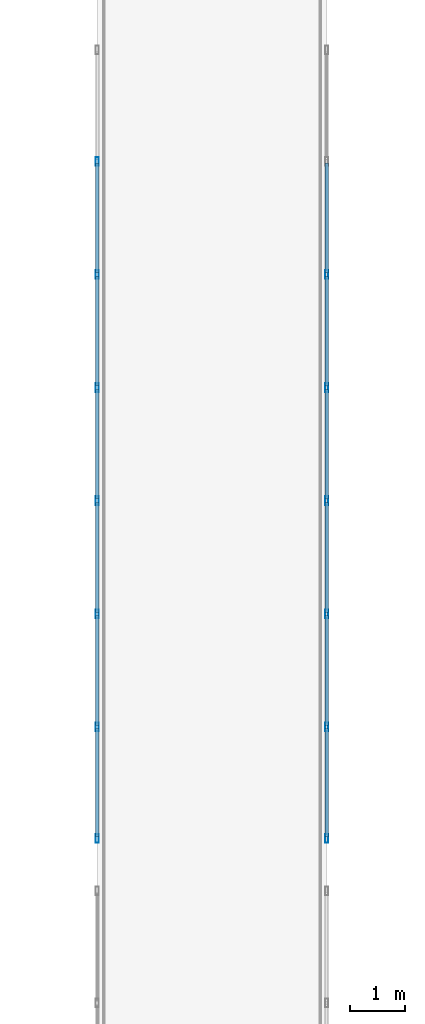
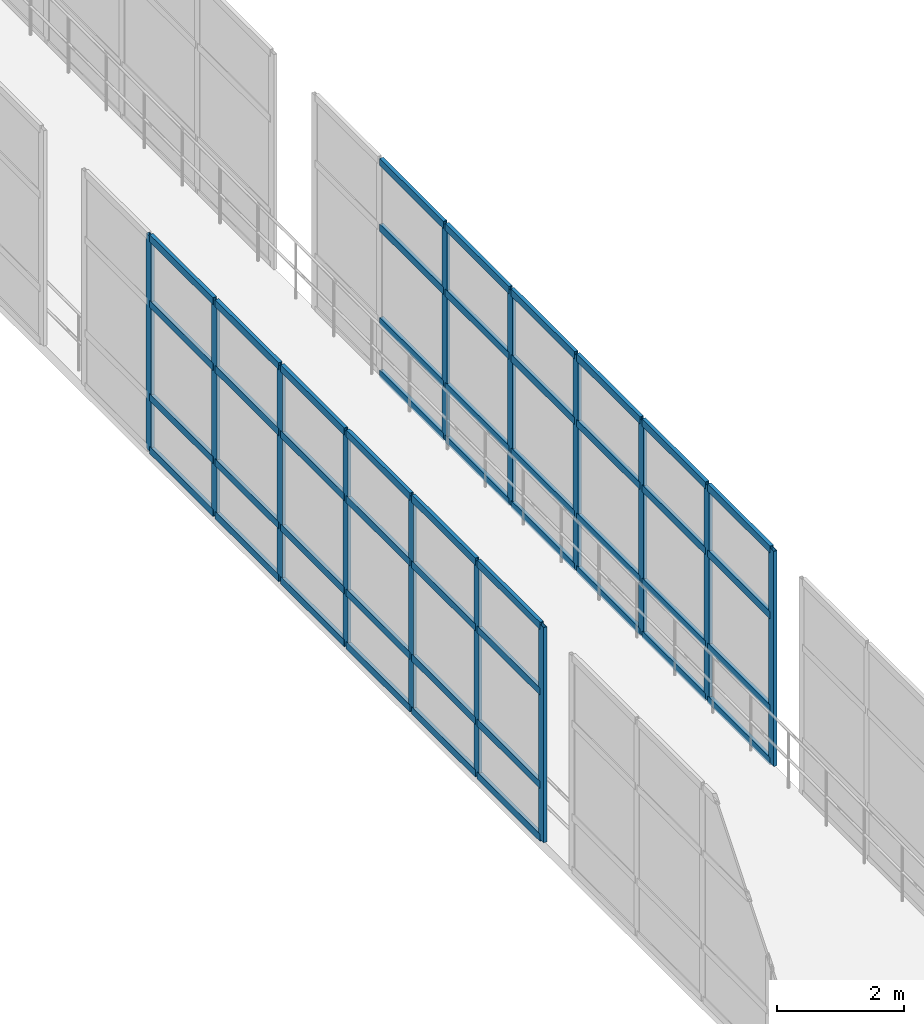
# One storey, part 53 of 105: 61 members, 2 elements without a shape of their own.
"""IFC4 building model written with IfcOpenShell, lengths in metres."""

from ifc_helpers import new_model, si_unit, direction, frame, origin, origin_2d, place, context, subcontext, project, spatial, hollow_rectangle, extrude, material, layer, layer_set, material_profile, profile_set, type_object, element, aggregate, save


model = new_model("IFC4")

# Units and contexts
model_context = context("Model", 3, precision=1e-05, world=origin(), true_north=direction((0.0, 1.0)))
body_context = subcontext(model_context, "Body", "Model", "MODEL_VIEW")
ifc_project = project(units=[si_unit("LENGTHUNIT", "METRE"), si_unit("AREAUNIT", "SQUARE_METRE"), si_unit("VOLUMEUNIT", "CUBIC_METRE"), si_unit("PLANEANGLEUNIT", "RADIAN"), si_unit("MASSUNIT", "GRAM", prefix="KILO")], contexts=[model_context])

# Site, building, storey
site_placement = place(None, origin())
site = spatial("IfcSite", under=ifc_project, at=site_placement, CompositionType="ELEMENT")
building_placement = place(site_placement, origin())
building = spatial("IfcBuilding", under=site, at=building_placement, Name="Selat Folded Stagehouse", CompositionType="ELEMENT")
storey_placement = place(building_placement, frame((0.0, 0.0, 10.199951171875)))
storey = spatial("IfcBuildingStorey", under=building, at=storey_placement, Name="L02", CompositionType="ELEMENT", Elevation=10.199951171875)

# Curtain wall, members
ifc_material = material(Name="Aluminium 6063-T6", Category="aluminium")
ifc_layer = layer(ifc_material, 0.175048828125)
ifc_layer_set = layer_set([ifc_layer], Name="Aluminium 6063-T6")
curtain_wall_type = type_object("IfcCurtainWallType", Name="CW-BRG-GLAZ", PredefinedType="NOTDEFINED", material=ifc_layer_set)
curtain_wall_1_placement = place(storey_placement, origin())
curtain_wall_1 = element("IfcCurtainWall", 1, at=curtain_wall_1_placement, inside=storey, type_object=curtain_wall_type, Name="L02 curtain wall CW-BRG-12", PredefinedType="NOTDEFINED")
ifc_material_profile_1 = material_profile(ifc_material, hollow_rectangle(XDim=0.06005859375, YDim=0.159912109375, WallThickness=0.00390625, at=origin_2d()), Name="ALU 160x60x4.0")
ifc_profile_set_1 = profile_set([ifc_material_profile_1], Name="Aluminium 6063-T6")
member_type_1 = type_object("IfcMemberType", Name="CWM-MUL-160x60", PredefinedType="MULLION", material=ifc_profile_set_1)
member_1_placement = place(storey_placement, frame((96.60009765625, 31.679931640625, 0.0), z_axis=(0.0, 0.0, 1.0), x_axis=(-1.0, 0.0, 0.0)))
member_1 = element("IfcMember", 2, at=member_1_placement, type_object=member_type_1, Name="CW-07 mullion 1", PredefinedType="MULLION", context=body_context, shape_type="SweptSolid", body=[
    extrude(hollow_rectangle(XDim=0.06005859375, YDim=0.159912109375, WallThickness=0.00390625, at=origin_2d()), origin(), (0.0, 0.0, 1.0), 4.150146484375),
])
member_2_placement = place(storey_placement, frame((96.60009765625, 33.721435546875, 0.0), z_axis=(0.0, 0.0, 1.0), x_axis=(-1.0, 0.0, 0.0)))
member_2 = element("IfcMember", 3, at=member_2_placement, type_object=member_type_1, Name="CW-07 mullion 2", PredefinedType="MULLION", context=body_context, shape_type="SweptSolid", body=[
    extrude(hollow_rectangle(XDim=0.06005859375, YDim=0.159912109375, WallThickness=0.00390625, at=origin_2d()), origin(), (0.0, 0.0, 1.0), 4.150146484375),
])
member_3_placement = place(storey_placement, frame((96.60009765625, 35.79296875, 0.0), z_axis=(0.0, 0.0, 1.0), x_axis=(-1.0, 0.0, 0.0)))
member_3 = element("IfcMember", 4, at=member_3_placement, type_object=member_type_1, Name="CW-07 mullion 3", PredefinedType="MULLION", context=body_context, shape_type="SweptSolid", body=[
    extrude(hollow_rectangle(XDim=0.06005859375, YDim=0.159912109375, WallThickness=0.00390625, at=origin_2d()), origin(), (0.0, 0.0, 1.0), 4.150146484375),
])
member_4_placement = place(storey_placement, frame((96.60009765625, 37.8642578125, 0.0), z_axis=(0.0, 0.0, 1.0), x_axis=(-1.0, 0.0, 0.0)))
member_4 = element("IfcMember", 5, at=member_4_placement, type_object=member_type_1, Name="CW-07 mullion 4", PredefinedType="MULLION", context=body_context, shape_type="SweptSolid", body=[
    extrude(hollow_rectangle(XDim=0.06005859375, YDim=0.159912109375, WallThickness=0.00390625, at=origin_2d()), origin(), (0.0, 0.0, 1.0), 4.150146484375),
])
member_5_placement = place(storey_placement, frame((96.60009765625, 39.935791015625, 0.0), z_axis=(0.0, 0.0, 1.0), x_axis=(-1.0, 0.0, 0.0)))
member_5 = element("IfcMember", 6, at=member_5_placement, type_object=member_type_1, Name="CW-07 mullion 5", PredefinedType="MULLION", context=body_context, shape_type="SweptSolid", body=[
    extrude(hollow_rectangle(XDim=0.06005859375, YDim=0.159912109375, WallThickness=0.00390625, at=origin_2d()), origin(), (0.0, 0.0, 1.0), 4.150146484375),
])
member_6_placement = place(storey_placement, frame((96.60009765625, 42.007080078125, 0.0), z_axis=(0.0, 0.0, 1.0), x_axis=(-1.0, 0.0, 0.0)))
member_6 = element("IfcMember", 7, at=member_6_placement, type_object=member_type_1, Name="CW-07 mullion 6", PredefinedType="MULLION", context=body_context, shape_type="SweptSolid", body=[
    extrude(hollow_rectangle(XDim=0.06005859375, YDim=0.159912109375, WallThickness=0.00390625, at=origin_2d()), origin(), (0.0, 0.0, 1.0), 4.150146484375),
])
member_7_placement = place(storey_placement, frame((96.60009765625, 44.07861328125, 0.0), z_axis=(0.0, 0.0, 1.0), x_axis=(-1.0, 0.0, 0.0)))
member_7 = element("IfcMember", 8, at=member_7_placement, type_object=member_type_1, Name="CW-07 mullion 7", PredefinedType="MULLION", context=body_context, shape_type="SweptSolid", body=[
    extrude(hollow_rectangle(XDim=0.06005859375, YDim=0.159912109375, WallThickness=0.00390625, at=origin_2d()), origin(), (0.0, 0.0, 1.0), 4.150146484375),
])

curtain_wall_2_placement = place(storey_placement, origin())
curtain_wall_2 = element("IfcCurtainWall", 9, at=curtain_wall_2_placement, inside=storey, type_object=curtain_wall_type, Name="L02 curtain wall CW-BRG-17", PredefinedType="NOTDEFINED")
member_8_placement = place(storey_placement, frame((100.800048828125, 42.007080078125, 0.0), z_axis=(0.0, 0.0, 1.0), x_axis=(1.0, 0.0, 0.0)))
member_8 = element("IfcMember", 10, at=member_8_placement, type_object=member_type_1, Name="CW-07 mullion 3", PredefinedType="MULLION", context=body_context, shape_type="SweptSolid", body=[
    extrude(hollow_rectangle(XDim=0.06005859375, YDim=0.159912109375, WallThickness=0.00390625, at=origin_2d()), origin(), (0.0, 0.0, 1.0), 4.150146484375),
])
member_9_placement = place(storey_placement, frame((100.800048828125, 39.935791015625, 0.0), z_axis=(0.0, 0.0, 1.0), x_axis=(1.0, 0.0, 0.0)))
member_9 = element("IfcMember", 11, at=member_9_placement, type_object=member_type_1, Name="CW-07 mullion 4", PredefinedType="MULLION", context=body_context, shape_type="SweptSolid", body=[
    extrude(hollow_rectangle(XDim=0.06005859375, YDim=0.159912109375, WallThickness=0.00390625, at=origin_2d()), origin(), (0.0, 0.0, 1.0), 4.150146484375),
])
member_10_placement = place(storey_placement, frame((100.800048828125, 37.8642578125, 0.0), z_axis=(0.0, 0.0, 1.0), x_axis=(1.0, 0.0, 0.0)))
member_10 = element("IfcMember", 12, at=member_10_placement, type_object=member_type_1, Name="CW-07 mullion 5", PredefinedType="MULLION", context=body_context, shape_type="SweptSolid", body=[
    extrude(hollow_rectangle(XDim=0.06005859375, YDim=0.159912109375, WallThickness=0.00390625, at=origin_2d()), origin(), (0.0, 0.0, 1.0), 4.150146484375),
])
member_11_placement = place(storey_placement, frame((100.800048828125, 35.79296875, 0.0), z_axis=(0.0, 0.0, 1.0), x_axis=(1.0, 0.0, 0.0)))
member_11 = element("IfcMember", 13, at=member_11_placement, type_object=member_type_1, Name="CW-07 mullion 6", PredefinedType="MULLION", context=body_context, shape_type="SweptSolid", body=[
    extrude(hollow_rectangle(XDim=0.06005859375, YDim=0.159912109375, WallThickness=0.00390625, at=origin_2d()), origin(), (0.0, 0.0, 1.0), 4.150146484375),
])
member_12_placement = place(storey_placement, frame((100.800048828125, 33.721435546875, 0.0), z_axis=(0.0, 0.0, 1.0), x_axis=(1.0, 0.0, 0.0)))
member_12 = element("IfcMember", 14, at=member_12_placement, type_object=member_type_1, Name="CW-07 mullion 7", PredefinedType="MULLION", context=body_context, shape_type="SweptSolid", body=[
    extrude(hollow_rectangle(XDim=0.06005859375, YDim=0.159912109375, WallThickness=0.00390625, at=origin_2d()), origin(), (0.0, 0.0, 1.0), 4.150146484375),
])
member_13_placement = place(storey_placement, frame((100.800048828125, 31.679931640625, 0.0), z_axis=(0.0, 0.0, 1.0), x_axis=(1.0, 0.0, 0.0)))
member_13 = element("IfcMember", 15, at=member_13_placement, type_object=member_type_1, Name="CW-07 mullion 8", PredefinedType="MULLION", context=body_context, shape_type="SweptSolid", body=[
    extrude(hollow_rectangle(XDim=0.06005859375, YDim=0.159912109375, WallThickness=0.00390625, at=origin_2d()), origin(), (0.0, 0.0, 1.0), 4.150146484375),
])

# Member
ifc_material_profile_2 = material_profile(ifc_material, hollow_rectangle(XDim=0.06494140625, YDim=0.139892578125, WallThickness=0.00390625, at=origin_2d()), Name="ALU 140x65x4.0")
ifc_profile_set_2 = profile_set([ifc_material_profile_2], Name="Aluminium 6063-T6")
member_type_2 = type_object("IfcMemberType", Name="CWM-TRN-140x65", PredefinedType="USERDEFINED", material=ifc_profile_set_2)
member_14_placement = place(storey_placement, frame((96.60009765625, 31.7099609375, 0.032470703125), z_axis=(0.0, 1.0, 0.0), x_axis=(-1.0, 0.0, 0.0)))
member_14 = element("IfcMember", 16, at=member_14_placement, type_object=member_type_2, Name="CW-07 transom 1.1", ObjectType="TRANSOM", PredefinedType="USERDEFINED", context=body_context, shape_type="SweptSolid", body=[
    extrude(hollow_rectangle(XDim=0.06494140625, YDim=0.139892578125, WallThickness=0.00390625, at=origin_2d()), origin(), (0.0, 0.0, 1.0), 1.9814453125),
])

member_15_placement = place(storey_placement, frame((96.60009765625, 31.7099609375, 1.050048828125), z_axis=(0.0, 1.0, 0.0), x_axis=(-1.0, 0.0, 0.0)))
member_15 = element("IfcMember", 17, at=member_15_placement, type_object=member_type_2, Name="CW-07 transom 1.2", ObjectType="TRANSOM", PredefinedType="USERDEFINED", context=body_context, shape_type="SweptSolid", body=[
    extrude(hollow_rectangle(XDim=0.06494140625, YDim=0.139892578125, WallThickness=0.00390625, at=origin_2d()), origin(), (0.0, 0.0, 1.0), 1.9814453125),
])

member_16_placement = place(storey_placement, frame((96.60009765625, 31.7099609375, 2.85009765625), z_axis=(0.0, 1.0, 0.0), x_axis=(-1.0, 0.0, 0.0)))
member_16 = element("IfcMember", 18, at=member_16_placement, type_object=member_type_2, Name="CW-07 transom 1.3", ObjectType="TRANSOM", PredefinedType="USERDEFINED", context=body_context, shape_type="SweptSolid", body=[
    extrude(hollow_rectangle(XDim=0.06494140625, YDim=0.139892578125, WallThickness=0.00390625, at=origin_2d()), origin(), (0.0, 0.0, 1.0), 1.9814453125),
])

member_17_placement = place(storey_placement, frame((96.60009765625, 31.7099609375, 4.117431640625), z_axis=(0.0, 1.0, 0.0), x_axis=(-1.0, 0.0, 0.0)))
member_17 = element("IfcMember", 19, at=member_17_placement, type_object=member_type_2, Name="CW-07 transom 1.4", ObjectType="TRANSOM", PredefinedType="USERDEFINED", context=body_context, shape_type="SweptSolid", body=[
    extrude(hollow_rectangle(XDim=0.06494140625, YDim=0.139892578125, WallThickness=0.00390625, at=origin_2d()), origin(), (0.0, 0.0, 1.0), 1.9814453125),
])

member_18_placement = place(storey_placement, frame((96.60009765625, 33.75146484375, 0.032470703125), z_axis=(0.0, 1.0, 0.0), x_axis=(-1.0, 0.0, 0.0)))
member_18 = element("IfcMember", 20, at=member_18_placement, type_object=member_type_2, Name="CW-07 transom 2.1", ObjectType="TRANSOM", PredefinedType="USERDEFINED", context=body_context, shape_type="SweptSolid", body=[
    extrude(hollow_rectangle(XDim=0.06494140625, YDim=0.139892578125, WallThickness=0.00390625, at=origin_2d()), origin(), (0.0, 0.0, 1.0), 2.011474609375),
])

member_19_placement = place(storey_placement, frame((96.60009765625, 33.75146484375, 1.050048828125), z_axis=(0.0, 1.0, 0.0), x_axis=(-1.0, 0.0, 0.0)))
member_19 = element("IfcMember", 21, at=member_19_placement, type_object=member_type_2, Name="CW-07 transom 2.2", ObjectType="TRANSOM", PredefinedType="USERDEFINED", context=body_context, shape_type="SweptSolid", body=[
    extrude(hollow_rectangle(XDim=0.06494140625, YDim=0.139892578125, WallThickness=0.00390625, at=origin_2d()), origin(), (0.0, 0.0, 1.0), 2.011474609375),
])

member_20_placement = place(storey_placement, frame((96.60009765625, 33.75146484375, 2.85009765625), z_axis=(0.0, 1.0, 0.0), x_axis=(-1.0, 0.0, 0.0)))
member_20 = element("IfcMember", 22, at=member_20_placement, type_object=member_type_2, Name="CW-07 transom 2.3", ObjectType="TRANSOM", PredefinedType="USERDEFINED", context=body_context, shape_type="SweptSolid", body=[
    extrude(hollow_rectangle(XDim=0.06494140625, YDim=0.139892578125, WallThickness=0.00390625, at=origin_2d()), origin(), (0.0, 0.0, 1.0), 2.011474609375),
])

member_21_placement = place(storey_placement, frame((96.60009765625, 33.75146484375, 4.117431640625), z_axis=(0.0, 1.0, 0.0), x_axis=(-1.0, 0.0, 0.0)))
member_21 = element("IfcMember", 23, at=member_21_placement, type_object=member_type_2, Name="CW-07 transom 2.4", ObjectType="TRANSOM", PredefinedType="USERDEFINED", context=body_context, shape_type="SweptSolid", body=[
    extrude(hollow_rectangle(XDim=0.06494140625, YDim=0.139892578125, WallThickness=0.00390625, at=origin_2d()), origin(), (0.0, 0.0, 1.0), 2.011474609375),
])

member_22_placement = place(storey_placement, frame((96.60009765625, 35.82275390625, 0.032470703125), z_axis=(0.0, 1.0, 0.0), x_axis=(-1.0, 0.0, 0.0)))
member_22 = element("IfcMember", 24, at=member_22_placement, type_object=member_type_2, Name="CW-07 transom 3.1", ObjectType="TRANSOM", PredefinedType="USERDEFINED", context=body_context, shape_type="SweptSolid", body=[
    extrude(hollow_rectangle(XDim=0.06494140625, YDim=0.139892578125, WallThickness=0.00390625, at=origin_2d()), origin(), (0.0, 0.0, 1.0), 2.011474609375),
])

member_23_placement = place(storey_placement, frame((96.60009765625, 35.82275390625, 1.050048828125), z_axis=(0.0, 1.0, 0.0), x_axis=(-1.0, 0.0, 0.0)))
member_23 = element("IfcMember", 25, at=member_23_placement, type_object=member_type_2, Name="CW-07 transom 3.2", ObjectType="TRANSOM", PredefinedType="USERDEFINED", context=body_context, shape_type="SweptSolid", body=[
    extrude(hollow_rectangle(XDim=0.06494140625, YDim=0.139892578125, WallThickness=0.00390625, at=origin_2d()), origin(), (0.0, 0.0, 1.0), 2.011474609375),
])

member_24_placement = place(storey_placement, frame((96.60009765625, 35.82275390625, 2.85009765625), z_axis=(0.0, 1.0, 0.0), x_axis=(-1.0, 0.0, 0.0)))
member_24 = element("IfcMember", 26, at=member_24_placement, type_object=member_type_2, Name="CW-07 transom 3.3", ObjectType="TRANSOM", PredefinedType="USERDEFINED", context=body_context, shape_type="SweptSolid", body=[
    extrude(hollow_rectangle(XDim=0.06494140625, YDim=0.139892578125, WallThickness=0.00390625, at=origin_2d()), origin(), (0.0, 0.0, 1.0), 2.011474609375),
])

member_25_placement = place(storey_placement, frame((96.60009765625, 35.82275390625, 4.117431640625), z_axis=(0.0, 1.0, 0.0), x_axis=(-1.0, 0.0, 0.0)))
member_25 = element("IfcMember", 27, at=member_25_placement, type_object=member_type_2, Name="CW-07 transom 3.4", ObjectType="TRANSOM", PredefinedType="USERDEFINED", context=body_context, shape_type="SweptSolid", body=[
    extrude(hollow_rectangle(XDim=0.06494140625, YDim=0.139892578125, WallThickness=0.00390625, at=origin_2d()), origin(), (0.0, 0.0, 1.0), 2.011474609375),
])

member_26_placement = place(storey_placement, frame((96.60009765625, 37.894287109375, 0.032470703125), z_axis=(0.0, 1.0, 0.0), x_axis=(-1.0, 0.0, 0.0)))
member_26 = element("IfcMember", 28, at=member_26_placement, type_object=member_type_2, Name="CW-07 transom 4.1", ObjectType="TRANSOM", PredefinedType="USERDEFINED", context=body_context, shape_type="SweptSolid", body=[
    extrude(hollow_rectangle(XDim=0.06494140625, YDim=0.139892578125, WallThickness=0.00390625, at=origin_2d()), origin(), (0.0, 0.0, 1.0), 2.011474609375),
])

member_27_placement = place(storey_placement, frame((96.60009765625, 37.894287109375, 1.050048828125), z_axis=(0.0, 1.0, 0.0), x_axis=(-1.0, 0.0, 0.0)))
member_27 = element("IfcMember", 29, at=member_27_placement, type_object=member_type_2, Name="CW-07 transom 4.2", ObjectType="TRANSOM", PredefinedType="USERDEFINED", context=body_context, shape_type="SweptSolid", body=[
    extrude(hollow_rectangle(XDim=0.06494140625, YDim=0.139892578125, WallThickness=0.00390625, at=origin_2d()), origin(), (0.0, 0.0, 1.0), 2.011474609375),
])

member_28_placement = place(storey_placement, frame((96.60009765625, 37.894287109375, 2.85009765625), z_axis=(0.0, 1.0, 0.0), x_axis=(-1.0, 0.0, 0.0)))
member_28 = element("IfcMember", 30, at=member_28_placement, type_object=member_type_2, Name="CW-07 transom 4.3", ObjectType="TRANSOM", PredefinedType="USERDEFINED", context=body_context, shape_type="SweptSolid", body=[
    extrude(hollow_rectangle(XDim=0.06494140625, YDim=0.139892578125, WallThickness=0.00390625, at=origin_2d()), origin(), (0.0, 0.0, 1.0), 2.011474609375),
])

member_29_placement = place(storey_placement, frame((96.60009765625, 37.894287109375, 4.117431640625), z_axis=(0.0, 1.0, 0.0), x_axis=(-1.0, 0.0, 0.0)))
member_29 = element("IfcMember", 31, at=member_29_placement, type_object=member_type_2, Name="CW-07 transom 4.4", ObjectType="TRANSOM", PredefinedType="USERDEFINED", context=body_context, shape_type="SweptSolid", body=[
    extrude(hollow_rectangle(XDim=0.06494140625, YDim=0.139892578125, WallThickness=0.00390625, at=origin_2d()), origin(), (0.0, 0.0, 1.0), 2.011474609375),
])

member_30_placement = place(storey_placement, frame((96.60009765625, 39.9658203125, 0.032470703125), z_axis=(0.0, 1.0, 0.0), x_axis=(-1.0, 0.0, 0.0)))
member_30 = element("IfcMember", 32, at=member_30_placement, type_object=member_type_2, Name="CW-07 transom 5.1", ObjectType="TRANSOM", PredefinedType="USERDEFINED", context=body_context, shape_type="SweptSolid", body=[
    extrude(hollow_rectangle(XDim=0.06494140625, YDim=0.139892578125, WallThickness=0.00390625, at=origin_2d()), origin(), (0.0, 0.0, 1.0), 2.01123046875),
])

member_31_placement = place(storey_placement, frame((96.60009765625, 39.9658203125, 1.050048828125), z_axis=(0.0, 1.0, 0.0), x_axis=(-1.0, 0.0, 0.0)))
member_31 = element("IfcMember", 33, at=member_31_placement, type_object=member_type_2, Name="CW-07 transom 5.2", ObjectType="TRANSOM", PredefinedType="USERDEFINED", context=body_context, shape_type="SweptSolid", body=[
    extrude(hollow_rectangle(XDim=0.06494140625, YDim=0.139892578125, WallThickness=0.00390625, at=origin_2d()), origin(), (0.0, 0.0, 1.0), 2.01123046875),
])

member_32_placement = place(storey_placement, frame((96.60009765625, 39.9658203125, 2.85009765625), z_axis=(0.0, 1.0, 0.0), x_axis=(-1.0, 0.0, 0.0)))
member_32 = element("IfcMember", 34, at=member_32_placement, type_object=member_type_2, Name="CW-07 transom 5.3", ObjectType="TRANSOM", PredefinedType="USERDEFINED", context=body_context, shape_type="SweptSolid", body=[
    extrude(hollow_rectangle(XDim=0.06494140625, YDim=0.139892578125, WallThickness=0.00390625, at=origin_2d()), origin(), (0.0, 0.0, 1.0), 2.01123046875),
])

member_33_placement = place(storey_placement, frame((96.60009765625, 39.9658203125, 4.117431640625), z_axis=(0.0, 1.0, 0.0), x_axis=(-1.0, 0.0, 0.0)))
member_33 = element("IfcMember", 35, at=member_33_placement, type_object=member_type_2, Name="CW-07 transom 5.4", ObjectType="TRANSOM", PredefinedType="USERDEFINED", context=body_context, shape_type="SweptSolid", body=[
    extrude(hollow_rectangle(XDim=0.06494140625, YDim=0.139892578125, WallThickness=0.00390625, at=origin_2d()), origin(), (0.0, 0.0, 1.0), 2.01123046875),
])

member_34_placement = place(storey_placement, frame((96.60009765625, 42.037109375, 0.032470703125), z_axis=(0.0, 1.0, 0.0), x_axis=(-1.0, 0.0, 0.0)))
member_34 = element("IfcMember", 36, at=member_34_placement, type_object=member_type_2, Name="CW-07 transom 6.1", ObjectType="TRANSOM", PredefinedType="USERDEFINED", context=body_context, shape_type="SweptSolid", body=[
    extrude(hollow_rectangle(XDim=0.06494140625, YDim=0.139892578125, WallThickness=0.00390625, at=origin_2d()), origin(), (0.0, 0.0, 1.0), 2.011474609375),
])

member_35_placement = place(storey_placement, frame((96.60009765625, 42.037109375, 1.050048828125), z_axis=(0.0, 1.0, 0.0), x_axis=(-1.0, 0.0, 0.0)))
member_35 = element("IfcMember", 37, at=member_35_placement, type_object=member_type_2, Name="CW-07 transom 6.2", ObjectType="TRANSOM", PredefinedType="USERDEFINED", context=body_context, shape_type="SweptSolid", body=[
    extrude(hollow_rectangle(XDim=0.06494140625, YDim=0.139892578125, WallThickness=0.00390625, at=origin_2d()), origin(), (0.0, 0.0, 1.0), 2.011474609375),
])

member_36_placement = place(storey_placement, frame((96.60009765625, 42.037109375, 2.85009765625), z_axis=(0.0, 1.0, 0.0), x_axis=(-1.0, 0.0, 0.0)))
member_36 = element("IfcMember", 38, at=member_36_placement, type_object=member_type_2, Name="CW-07 transom 6.3", ObjectType="TRANSOM", PredefinedType="USERDEFINED", context=body_context, shape_type="SweptSolid", body=[
    extrude(hollow_rectangle(XDim=0.06494140625, YDim=0.139892578125, WallThickness=0.00390625, at=origin_2d()), origin(), (0.0, 0.0, 1.0), 2.011474609375),
])

member_37_placement = place(storey_placement, frame((96.60009765625, 42.037109375, 4.117431640625), z_axis=(0.0, 1.0, 0.0), x_axis=(-1.0, 0.0, 0.0)))
member_37 = element("IfcMember", 39, at=member_37_placement, type_object=member_type_2, Name="CW-07 transom 6.4", ObjectType="TRANSOM", PredefinedType="USERDEFINED", context=body_context, shape_type="SweptSolid", body=[
    extrude(hollow_rectangle(XDim=0.06494140625, YDim=0.139892578125, WallThickness=0.00390625, at=origin_2d()), origin(), (0.0, 0.0, 1.0), 2.011474609375),
])

aggregate(curtain_wall_1, [member_1, member_2, member_3, member_4, member_5, member_6, member_7, member_14, member_15, member_16, member_17, member_18, member_19, member_20, member_21, member_22, member_23, member_24, member_25, member_26, member_27, member_28, member_29, member_30, member_31, member_32, member_33, member_34, member_35, member_36, member_37])

member_38_placement = place(storey_placement, frame((100.800048828125, 44.048583984375, 0.032470703125), z_axis=(0.0, -1.0, 0.0), x_axis=(1.0, 0.0, 0.0)))
member_38 = element("IfcMember", 40, at=member_38_placement, type_object=member_type_2, Name="CW-07 transom 2.1", ObjectType="TRANSOM", PredefinedType="USERDEFINED", context=body_context, shape_type="SweptSolid", body=[
    extrude(hollow_rectangle(XDim=0.06494140625, YDim=0.139892578125, WallThickness=0.00390625, at=origin_2d()), origin(), (0.0, 0.0, 1.0), 2.011474609375),
])

member_39_placement = place(storey_placement, frame((100.800048828125, 44.048583984375, 1.050048828125), z_axis=(0.0, -1.0, 0.0), x_axis=(1.0, 0.0, 0.0)))
member_39 = element("IfcMember", 41, at=member_39_placement, type_object=member_type_2, Name="CW-07 transom 2.2", ObjectType="TRANSOM", PredefinedType="USERDEFINED", context=body_context, shape_type="SweptSolid", body=[
    extrude(hollow_rectangle(XDim=0.06494140625, YDim=0.139892578125, WallThickness=0.00390625, at=origin_2d()), origin(), (0.0, 0.0, 1.0), 2.011474609375),
])

member_40_placement = place(storey_placement, frame((100.800048828125, 44.048583984375, 2.85009765625), z_axis=(0.0, -1.0, 0.0), x_axis=(1.0, 0.0, 0.0)))
member_40 = element("IfcMember", 42, at=member_40_placement, type_object=member_type_2, Name="CW-07 transom 2.3", ObjectType="TRANSOM", PredefinedType="USERDEFINED", context=body_context, shape_type="SweptSolid", body=[
    extrude(hollow_rectangle(XDim=0.06494140625, YDim=0.139892578125, WallThickness=0.00390625, at=origin_2d()), origin(), (0.0, 0.0, 1.0), 2.011474609375),
])

member_41_placement = place(storey_placement, frame((100.800048828125, 44.048583984375, 4.117431640625), z_axis=(0.0, -1.0, 0.0), x_axis=(1.0, 0.0, 0.0)))
member_41 = element("IfcMember", 43, at=member_41_placement, type_object=member_type_2, Name="CW-07 transom 2.4", ObjectType="TRANSOM", PredefinedType="USERDEFINED", context=body_context, shape_type="SweptSolid", body=[
    extrude(hollow_rectangle(XDim=0.06494140625, YDim=0.139892578125, WallThickness=0.00390625, at=origin_2d()), origin(), (0.0, 0.0, 1.0), 2.011474609375),
])

member_42_placement = place(storey_placement, frame((100.800048828125, 41.97705078125, 0.032470703125), z_axis=(0.0, -1.0, 0.0), x_axis=(1.0, 0.0, 0.0)))
member_42 = element("IfcMember", 44, at=member_42_placement, type_object=member_type_2, Name="CW-07 transom 3.1", ObjectType="TRANSOM", PredefinedType="USERDEFINED", context=body_context, shape_type="SweptSolid", body=[
    extrude(hollow_rectangle(XDim=0.06494140625, YDim=0.139892578125, WallThickness=0.00390625, at=origin_2d()), origin(), (0.0, 0.0, 1.0), 2.01123046875),
])

member_43_placement = place(storey_placement, frame((100.800048828125, 41.97705078125, 1.050048828125), z_axis=(0.0, -1.0, 0.0), x_axis=(1.0, 0.0, 0.0)))
member_43 = element("IfcMember", 45, at=member_43_placement, type_object=member_type_2, Name="CW-07 transom 3.2", ObjectType="TRANSOM", PredefinedType="USERDEFINED", context=body_context, shape_type="SweptSolid", body=[
    extrude(hollow_rectangle(XDim=0.06494140625, YDim=0.139892578125, WallThickness=0.00390625, at=origin_2d()), origin(), (0.0, 0.0, 1.0), 2.01123046875),
])

member_44_placement = place(storey_placement, frame((100.800048828125, 41.97705078125, 2.85009765625), z_axis=(0.0, -1.0, 0.0), x_axis=(1.0, 0.0, 0.0)))
member_44 = element("IfcMember", 46, at=member_44_placement, type_object=member_type_2, Name="CW-07 transom 3.3", ObjectType="TRANSOM", PredefinedType="USERDEFINED", context=body_context, shape_type="SweptSolid", body=[
    extrude(hollow_rectangle(XDim=0.06494140625, YDim=0.139892578125, WallThickness=0.00390625, at=origin_2d()), origin(), (0.0, 0.0, 1.0), 2.01123046875),
])

member_45_placement = place(storey_placement, frame((100.800048828125, 41.97705078125, 4.117431640625), z_axis=(0.0, -1.0, 0.0), x_axis=(1.0, 0.0, 0.0)))
member_45 = element("IfcMember", 47, at=member_45_placement, type_object=member_type_2, Name="CW-07 transom 3.4", ObjectType="TRANSOM", PredefinedType="USERDEFINED", context=body_context, shape_type="SweptSolid", body=[
    extrude(hollow_rectangle(XDim=0.06494140625, YDim=0.139892578125, WallThickness=0.00390625, at=origin_2d()), origin(), (0.0, 0.0, 1.0), 2.01123046875),
])

member_46_placement = place(storey_placement, frame((100.800048828125, 39.90576171875, 0.032470703125), z_axis=(0.0, -1.0, 0.0), x_axis=(1.0, 0.0, 0.0)))
member_46 = element("IfcMember", 48, at=member_46_placement, type_object=member_type_2, Name="CW-07 transom 4.1", ObjectType="TRANSOM", PredefinedType="USERDEFINED", context=body_context, shape_type="SweptSolid", body=[
    extrude(hollow_rectangle(XDim=0.06494140625, YDim=0.139892578125, WallThickness=0.00390625, at=origin_2d()), origin(), (0.0, 0.0, 1.0), 2.011474609375),
])

member_47_placement = place(storey_placement, frame((100.800048828125, 39.90576171875, 1.050048828125), z_axis=(0.0, -1.0, 0.0), x_axis=(1.0, 0.0, 0.0)))
member_47 = element("IfcMember", 49, at=member_47_placement, type_object=member_type_2, Name="CW-07 transom 4.2", ObjectType="TRANSOM", PredefinedType="USERDEFINED", context=body_context, shape_type="SweptSolid", body=[
    extrude(hollow_rectangle(XDim=0.06494140625, YDim=0.139892578125, WallThickness=0.00390625, at=origin_2d()), origin(), (0.0, 0.0, 1.0), 2.011474609375),
])

member_48_placement = place(storey_placement, frame((100.800048828125, 39.90576171875, 2.85009765625), z_axis=(0.0, -1.0, 0.0), x_axis=(1.0, 0.0, 0.0)))
member_48 = element("IfcMember", 50, at=member_48_placement, type_object=member_type_2, Name="CW-07 transom 4.3", ObjectType="TRANSOM", PredefinedType="USERDEFINED", context=body_context, shape_type="SweptSolid", body=[
    extrude(hollow_rectangle(XDim=0.06494140625, YDim=0.139892578125, WallThickness=0.00390625, at=origin_2d()), origin(), (0.0, 0.0, 1.0), 2.011474609375),
])

member_49_placement = place(storey_placement, frame((100.800048828125, 39.90576171875, 4.117431640625), z_axis=(0.0, -1.0, 0.0), x_axis=(1.0, 0.0, 0.0)))
member_49 = element("IfcMember", 51, at=member_49_placement, type_object=member_type_2, Name="CW-07 transom 4.4", ObjectType="TRANSOM", PredefinedType="USERDEFINED", context=body_context, shape_type="SweptSolid", body=[
    extrude(hollow_rectangle(XDim=0.06494140625, YDim=0.139892578125, WallThickness=0.00390625, at=origin_2d()), origin(), (0.0, 0.0, 1.0), 2.011474609375),
])

member_50_placement = place(storey_placement, frame((100.800048828125, 37.834228515625, 0.032470703125), z_axis=(0.0, -1.0, 0.0), x_axis=(1.0, 0.0, 0.0)))
member_50 = element("IfcMember", 52, at=member_50_placement, type_object=member_type_2, Name="CW-07 transom 5.1", ObjectType="TRANSOM", PredefinedType="USERDEFINED", context=body_context, shape_type="SweptSolid", body=[
    extrude(hollow_rectangle(XDim=0.06494140625, YDim=0.139892578125, WallThickness=0.00390625, at=origin_2d()), origin(), (0.0, 0.0, 1.0), 2.011474609375),
])

member_51_placement = place(storey_placement, frame((100.800048828125, 37.834228515625, 1.050048828125), z_axis=(0.0, -1.0, 0.0), x_axis=(1.0, 0.0, 0.0)))
member_51 = element("IfcMember", 53, at=member_51_placement, type_object=member_type_2, Name="CW-07 transom 5.2", ObjectType="TRANSOM", PredefinedType="USERDEFINED", context=body_context, shape_type="SweptSolid", body=[
    extrude(hollow_rectangle(XDim=0.06494140625, YDim=0.139892578125, WallThickness=0.00390625, at=origin_2d()), origin(), (0.0, 0.0, 1.0), 2.011474609375),
])

member_52_placement = place(storey_placement, frame((100.800048828125, 37.834228515625, 2.85009765625), z_axis=(0.0, -1.0, 0.0), x_axis=(1.0, 0.0, 0.0)))
member_52 = element("IfcMember", 54, at=member_52_placement, type_object=member_type_2, Name="CW-07 transom 5.3", ObjectType="TRANSOM", PredefinedType="USERDEFINED", context=body_context, shape_type="SweptSolid", body=[
    extrude(hollow_rectangle(XDim=0.06494140625, YDim=0.139892578125, WallThickness=0.00390625, at=origin_2d()), origin(), (0.0, 0.0, 1.0), 2.011474609375),
])

member_53_placement = place(storey_placement, frame((100.800048828125, 37.834228515625, 4.117431640625), z_axis=(0.0, -1.0, 0.0), x_axis=(1.0, 0.0, 0.0)))
member_53 = element("IfcMember", 55, at=member_53_placement, type_object=member_type_2, Name="CW-07 transom 5.4", ObjectType="TRANSOM", PredefinedType="USERDEFINED", context=body_context, shape_type="SweptSolid", body=[
    extrude(hollow_rectangle(XDim=0.06494140625, YDim=0.139892578125, WallThickness=0.00390625, at=origin_2d()), origin(), (0.0, 0.0, 1.0), 2.011474609375),
])

member_54_placement = place(storey_placement, frame((100.800048828125, 35.762939453125, 0.032470703125), z_axis=(0.0, -1.0, 0.0), x_axis=(1.0, 0.0, 0.0)))
member_54 = element("IfcMember", 56, at=member_54_placement, type_object=member_type_2, Name="CW-07 transom 6.1", ObjectType="TRANSOM", PredefinedType="USERDEFINED", context=body_context, shape_type="SweptSolid", body=[
    extrude(hollow_rectangle(XDim=0.06494140625, YDim=0.139892578125, WallThickness=0.00390625, at=origin_2d()), origin(), (0.0, 0.0, 1.0), 2.011474609375),
])

member_55_placement = place(storey_placement, frame((100.800048828125, 35.762939453125, 1.050048828125), z_axis=(0.0, -1.0, 0.0), x_axis=(1.0, 0.0, 0.0)))
member_55 = element("IfcMember", 57, at=member_55_placement, type_object=member_type_2, Name="CW-07 transom 6.2", ObjectType="TRANSOM", PredefinedType="USERDEFINED", context=body_context, shape_type="SweptSolid", body=[
    extrude(hollow_rectangle(XDim=0.06494140625, YDim=0.139892578125, WallThickness=0.00390625, at=origin_2d()), origin(), (0.0, 0.0, 1.0), 2.011474609375),
])

member_56_placement = place(storey_placement, frame((100.800048828125, 35.762939453125, 2.85009765625), z_axis=(0.0, -1.0, 0.0), x_axis=(1.0, 0.0, 0.0)))
member_56 = element("IfcMember", 58, at=member_56_placement, type_object=member_type_2, Name="CW-07 transom 6.3", ObjectType="TRANSOM", PredefinedType="USERDEFINED", context=body_context, shape_type="SweptSolid", body=[
    extrude(hollow_rectangle(XDim=0.06494140625, YDim=0.139892578125, WallThickness=0.00390625, at=origin_2d()), origin(), (0.0, 0.0, 1.0), 2.011474609375),
])

member_57_placement = place(storey_placement, frame((100.800048828125, 35.762939453125, 4.117431640625), z_axis=(0.0, -1.0, 0.0), x_axis=(1.0, 0.0, 0.0)))
member_57 = element("IfcMember", 59, at=member_57_placement, type_object=member_type_2, Name="CW-07 transom 6.4", ObjectType="TRANSOM", PredefinedType="USERDEFINED", context=body_context, shape_type="SweptSolid", body=[
    extrude(hollow_rectangle(XDim=0.06494140625, YDim=0.139892578125, WallThickness=0.00390625, at=origin_2d()), origin(), (0.0, 0.0, 1.0), 2.011474609375),
])

member_58_placement = place(storey_placement, frame((100.800048828125, 33.69140625, 0.032470703125), z_axis=(0.0, -1.0, 0.0), x_axis=(1.0, 0.0, 0.0)))
member_58 = element("IfcMember", 60, at=member_58_placement, type_object=member_type_2, Name="CW-07 transom 7.1", ObjectType="TRANSOM", PredefinedType="USERDEFINED", context=body_context, shape_type="SweptSolid", body=[
    extrude(hollow_rectangle(XDim=0.06494140625, YDim=0.139892578125, WallThickness=0.00390625, at=origin_2d()), origin(), (0.0, 0.0, 1.0), 1.9814453125),
])

member_59_placement = place(storey_placement, frame((100.800048828125, 33.69140625, 1.050048828125), z_axis=(0.0, -1.0, 0.0), x_axis=(1.0, 0.0, 0.0)))
member_59 = element("IfcMember", 61, at=member_59_placement, type_object=member_type_2, Name="CW-07 transom 7.2", ObjectType="TRANSOM", PredefinedType="USERDEFINED", context=body_context, shape_type="SweptSolid", body=[
    extrude(hollow_rectangle(XDim=0.06494140625, YDim=0.139892578125, WallThickness=0.00390625, at=origin_2d()), origin(), (0.0, 0.0, 1.0), 1.9814453125),
])

member_60_placement = place(storey_placement, frame((100.800048828125, 33.69140625, 2.85009765625), z_axis=(0.0, -1.0, 0.0), x_axis=(1.0, 0.0, 0.0)))
member_60 = element("IfcMember", 62, at=member_60_placement, type_object=member_type_2, Name="CW-07 transom 7.3", ObjectType="TRANSOM", PredefinedType="USERDEFINED", context=body_context, shape_type="SweptSolid", body=[
    extrude(hollow_rectangle(XDim=0.06494140625, YDim=0.139892578125, WallThickness=0.00390625, at=origin_2d()), origin(), (0.0, 0.0, 1.0), 1.9814453125),
])

member_61_placement = place(storey_placement, frame((100.800048828125, 33.69140625, 4.117431640625), z_axis=(0.0, -1.0, 0.0), x_axis=(1.0, 0.0, 0.0)))
member_61 = element("IfcMember", 63, at=member_61_placement, type_object=member_type_2, Name="CW-07 transom 7.4", ObjectType="TRANSOM", PredefinedType="USERDEFINED", context=body_context, shape_type="SweptSolid", body=[
    extrude(hollow_rectangle(XDim=0.06494140625, YDim=0.139892578125, WallThickness=0.00390625, at=origin_2d()), origin(), (0.0, 0.0, 1.0), 1.9814453125),
])

aggregate(curtain_wall_2, [member_8, member_9, member_10, member_11, member_12, member_13, member_38, member_39, member_40, member_41, member_42, member_43, member_44, member_45, member_46, member_47, member_48, member_49, member_50, member_51, member_52, member_53, member_54, member_55, member_56, member_57, member_58, member_59, member_60, member_61])

save(model, "model.ifc")
